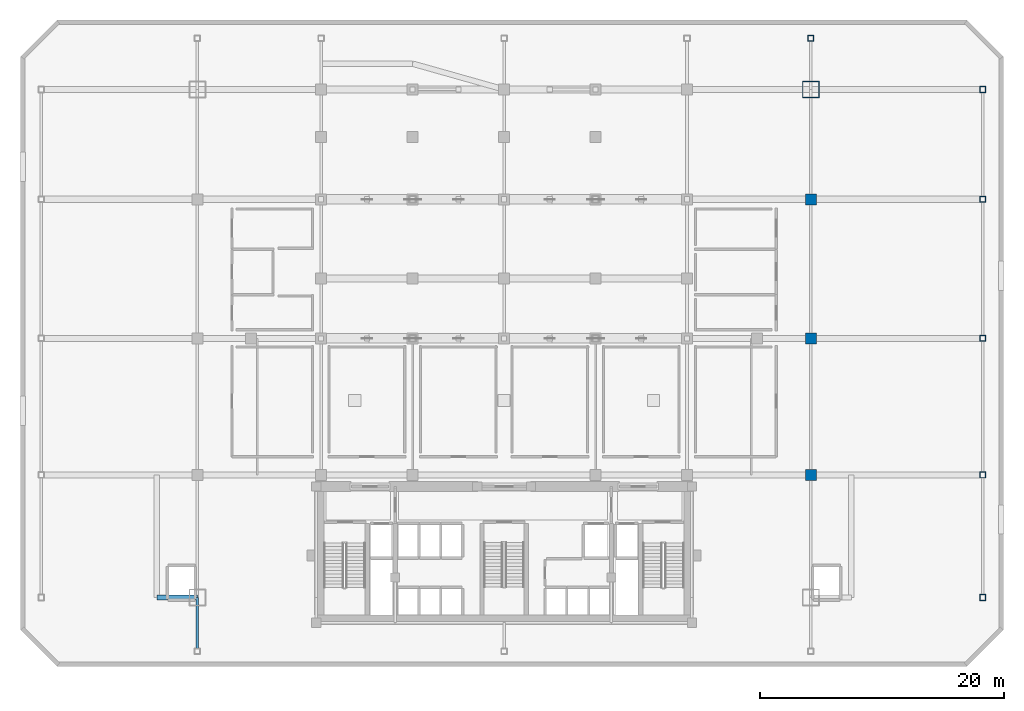
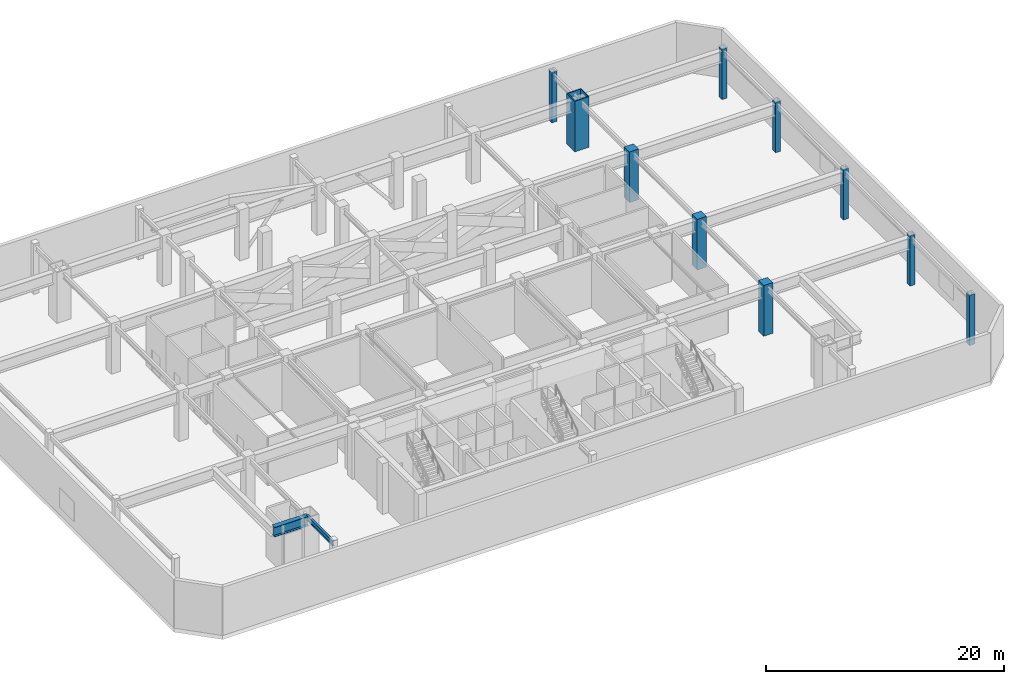
# One storey, part 2 of 14: 10 columns, 2 beams.
"""IFC4 building model written with IfcOpenShell, lengths in metres."""

from ifc_helpers import new_model, si_unit, direction, frame, origin, origin_2d, place, context, subcontext, project, spatial, rectangle, hollow_rectangle, i_section, extrude, material, material_profile, profile_set, type_object, element, save


model = new_model("IFC4")

# Units and contexts
model_context = context("Model", 3, precision=1e-05, world=origin(), true_north=direction((0.0, 1.0)))
body_context = subcontext(model_context, "Body", "Model", "MODEL_VIEW")
ifc_project = project(units=[si_unit("LENGTHUNIT", "METRE"), si_unit("AREAUNIT", "SQUARE_METRE"), si_unit("VOLUMEUNIT", "CUBIC_METRE"), si_unit("PLANEANGLEUNIT", "RADIAN"), si_unit("MASSUNIT", "GRAM", prefix="KILO")], contexts=[model_context])

# Site, building, storey
site_placement = place(None, origin())
site = spatial("IfcSite", under=ifc_project, at=site_placement, CompositionType="ELEMENT")
building_placement = place(site_placement, origin())
building = spatial("IfcBuilding", under=site, at=building_placement, Name="Ventersveld Concourse Tower", CompositionType="ELEMENT")
storey_placement = place(building_placement, frame((0.0, 0.0, 24.60009765625)))
storey = spatial("IfcBuildingStorey", under=building, at=storey_placement, Name="L05", CompositionType="ELEMENT", Elevation=24.60009765625)

# Columns
ifc_material_1 = material(Name="Structural steel S355ML", Category="steel")
ifc_material_profile_1 = material_profile(ifc_material_1, hollow_rectangle(XDim=0.5, YDim=0.5, WallThickness=0.031982421875, at=origin_2d()), Name="BOX 500x500x32")
ifc_profile_set_1 = profile_set([ifc_material_profile_1], Name="Structural steel S355ML")
column_type_1 = type_object("IfcColumnType", Name="COL-BOX500", PredefinedType="COLUMN", material=ifc_profile_set_1)
for number, where, z_axis, x_axis, name in (
    (1, (68.0, 2.35009765625, 0.0), (0.0, 0.0, 1.0), (1.0, 0.0, 0.0), "L05 Podium Perimeter Column 06"),
    (2, (68.0, 12.39990234375, 0.0), (0.0, 0.0, 1.0), (1.0, 0.0, 0.0), "L05 Podium Perimeter Column 07"),
    (3, (68.0, 23.60009765625, 0.0), (0.0, 0.0, 1.0), (1.0, 0.0, 0.0), "L05 Podium Perimeter Column 08"),
    (4, (68.0, 35.0, 0.0), (0.0, 0.0, 1.0), (1.0, 0.0, 0.0), "L05 Podium Perimeter Column 09"),
    (5, (68.0, 44.0, 0.0), (0.0, 0.0, 1.0), (1.0, 0.0, 0.0), "L05 Podium Perimeter Column 10"),
    (6, (53.89990234375, 48.199951171875, 0.0), (0.0, 0.0, 1.0), (1.0, 0.0, 0.0), "L05 Podium Perimeter Column 15"),
):
    element("IfcColumn", number, at=place(storey_placement, frame(where, z_axis=z_axis, x_axis=x_axis)), inside=storey, type_object=column_type_1, Name=name, PredefinedType="COLUMN", context=body_context, shape_type="SweptSolid", body=[
        extrude(hollow_rectangle(XDim=0.5, YDim=0.5, WallThickness=0.031982421875, at=origin_2d()), origin(), (0.0, 0.0, 1.0), 5.14990234375),
    ])
ifc_material_2 = material(Name="Concrete C60/75", Category="concrete")
ifc_material_profile_2 = material_profile(ifc_material_2, rectangle(XDim=0.89990234375, YDim=0.89990234375, at=origin_2d()), Name="RC 900x900")
ifc_profile_set_2 = profile_set([ifc_material_profile_2], Name="Concrete C60/75")
column_type_2 = type_object("IfcColumnType", Name="COL-RC900", PredefinedType="COLUMN", material=ifc_profile_set_2)
for number, where, z_axis, x_axis, name in (
    (7, (53.89990234375, 12.39990234375, 0.0), (0.0, 0.0, 1.0), (1.0, 0.0, 0.0), "L05 Station Grid Column G8B-C"),
    (8, (53.89990234375, 23.60009765625, 0.0), (0.0, 0.0, 1.0), (1.0, 0.0, 0.0), "L05 Station Grid Column G8B-D"),
    (9, (53.89990234375, 35.0, 0.0), (0.0, 0.0, 1.0), (1.0, 0.0, 0.0), "L05 Station Grid Column G8B-E"),
):
    element("IfcColumn", number, at=place(storey_placement, frame(where, z_axis=z_axis, x_axis=x_axis)), inside=storey, type_object=column_type_2, Name=name, PredefinedType="COLUMN", context=body_context, shape_type="SweptSolid", body=[
        extrude(rectangle(XDim=0.89990234375, YDim=0.89990234375, at=origin_2d()), origin(), (0.0, 0.0, 1.0), 5.199951171875),
    ])
ifc_material_3 = material(Name="Structural steel S460ML", Category="steel")
ifc_material_profile_3 = material_profile(ifc_material_3, hollow_rectangle(XDim=1.39990234375, YDim=1.39990234375, WallThickness=0.080078125, at=origin_2d()), Name="BOX 1400x1400x80")
ifc_profile_set_3 = profile_set([ifc_material_profile_3], Name="Structural steel S460ML")
column_type_3 = type_object("IfcColumnType", Name="MC-1400", PredefinedType="USERDEFINED", material=ifc_profile_set_3)
column_placement = place(storey_placement, frame((53.89990234375, 44.0, 0.0), z_axis=(0.0, 0.0, 1.0), x_axis=(1.0, 0.0, 0.0)))
element("IfcColumn", 10, at=column_placement, inside=storey, type_object=column_type_3, Name="L05 Corner Mega-Column MC-NE", ObjectType="MEGA_COLUMN", PredefinedType="USERDEFINED", context=body_context, shape_type="SweptSolid", body=[
    extrude(hollow_rectangle(XDim=1.39990234375, YDim=1.39990234375, WallThickness=0.080078125, at=origin_2d()), origin(), (0.0, 0.0, 1.0), 5.199951171875),
])

# Beams
ifc_material_4 = material(Name="Structural steel S355J2", Category="steel")
ifc_material_profile_4 = material_profile(ifc_material_4, i_section(OverallWidth=0.209228515625, OverallDepth=0.533203125, WebThickness=0.010009765625, FlangeThickness=0.015625, FilletRadius=0.0126953125, at=origin_2d()), Name="UB 533x210x92")
ifc_profile_set_4 = profile_set([ifc_material_profile_4], Name="Structural steel S355J2")
beam_type_1 = type_object("IfcBeamType", Name="GRD-UB533", PredefinedType="T_BEAM", material=ifc_profile_set_4)
beam_1_placement = place(storey_placement, frame((3.60009765625, -2.050048828125, 4.683349609375), z_axis=(0.0, 1.0, 0.0), x_axis=(-1.0, 0.0, 0.0)))
element("IfcBeam", 11, at=beam_1_placement, inside=storey, type_object=beam_type_1, Name="L05 Podium N-S Girder X=3.60m", PredefinedType="T_BEAM", context=body_context, shape_type="SweptSolid", body=[
    extrude(i_section(OverallWidth=0.209228515625, OverallDepth=0.533203125, WebThickness=0.010009765625, FlangeThickness=0.015625, FilletRadius=0.0126953125, at=origin_2d()), origin(), (0.0, 0.0, 1.0), 4.400146484375),
])
ifc_material_profile_5 = material_profile(ifc_material_3, i_section(OverallWidth=0.449951171875, OverallDepth=1.0, WebThickness=0.02392578125, FlangeThickness=0.0400390625, at=origin_2d()), Name="PG 1000x450x40")
ifc_profile_set_5 = profile_set([ifc_material_profile_5], Name="Structural steel S460ML")
beam_type_2 = type_object("IfcBeamType", Name="TG-PG1000", PredefinedType="USERDEFINED", material=ifc_profile_set_5)
beam_2_placement = place(storey_placement, frame((0.280029296875, 2.35009765625, 4.449951171875), z_axis=(1.0, 0.0, 0.0), x_axis=(0.0, 1.0, 0.0)))
element("IfcBeam", 12, at=beam_2_placement, inside=storey, type_object=beam_type_2, Name="L05 West Mega-Brace Base Tie 1", ObjectType="TRANSFER_GIRDER", PredefinedType="USERDEFINED", context=body_context, shape_type="SweptSolid", body=[
    extrude(i_section(OverallWidth=0.449951171875, OverallDepth=1.0, WebThickness=0.02392578125, FlangeThickness=0.0400390625, at=origin_2d()), origin(), (0.0, 0.0, 1.0), 3.320068359375),
])

save(model, "model.ifc")
